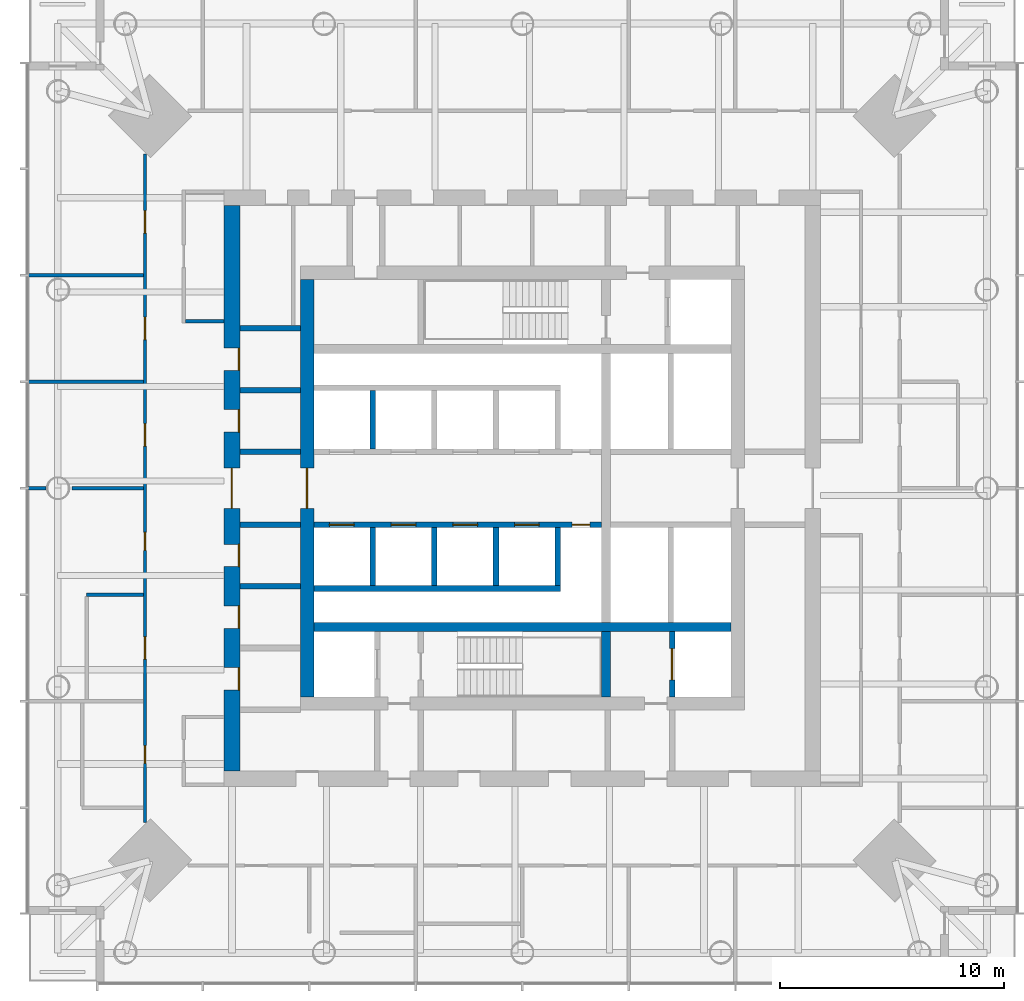
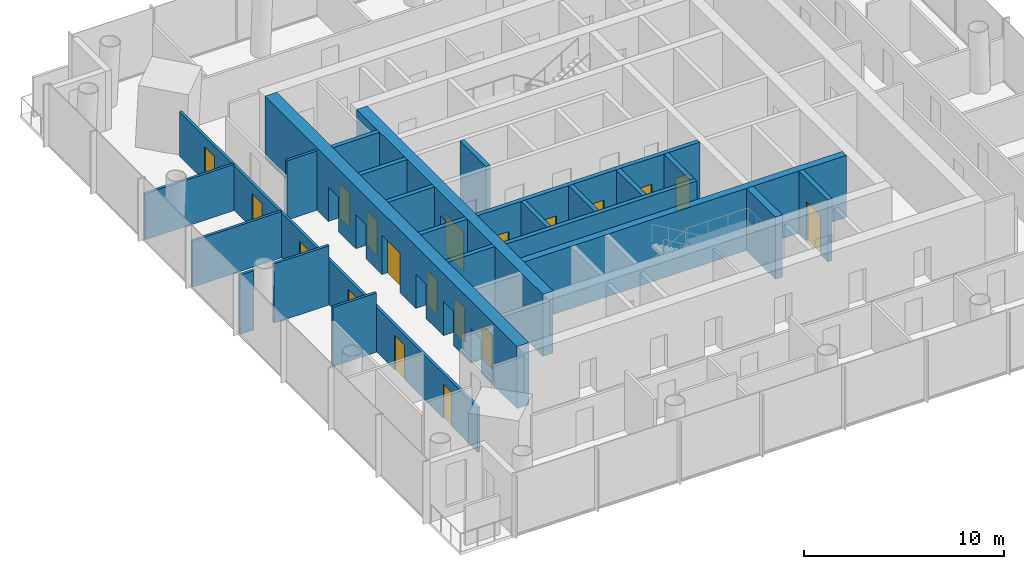
# One storey, part 9 of 18: 24 walls, 19 doors, 19 openings.
"""IFC4 building model written with IfcOpenShell, lengths in metres."""

from ifc_helpers import new_model, si_unit, direction, frame, frame_2d, origin, place, context, subcontext, project, spatial, rectangle, extrude, material, layer, layer_set, type_object, element, fill, save


model = new_model("IFC4")

# Units and contexts
model_context = context("Model", 3, precision=1e-05, world=origin(), true_north=direction((0.0, 1.0)))
body_context = subcontext(model_context, "Body", "Model", "MODEL_VIEW")
ifc_project = project(units=[si_unit("LENGTHUNIT", "METRE"), si_unit("AREAUNIT", "SQUARE_METRE"), si_unit("VOLUMEUNIT", "CUBIC_METRE"), si_unit("PLANEANGLEUNIT", "RADIAN"), si_unit("MASSUNIT", "GRAM", prefix="KILO")], contexts=[model_context])

# Site, building, storey
site_placement = place(None, origin())
site = spatial("IfcSite", under=ifc_project, at=site_placement, CompositionType="ELEMENT")
building_placement = place(site_placement, origin())
building = spatial("IfcBuilding", under=site, at=building_placement, Name="Ostroluk Exchange", CompositionType="ELEMENT")
storey_placement = place(building_placement, frame((0.0, 0.0, 123.60009765625)))
storey = spatial("IfcBuildingStorey", under=building, at=storey_placement, Name="L31", CompositionType="ELEMENT", Elevation=123.60009765625)

# Walls
ifc_material_1 = material(Name="Concrete C50/60", Category="concrete")
ifc_layer_1 = layer(ifc_material_1, 0.39990234375)
ifc_layer_set_1 = layer_set([ifc_layer_1], Name="Core cross wall 400 C50/60")
wall_type_1 = type_object("IfcWallType", Name="Core cross wall 400 C50/60", PredefinedType="SHEAR", material=ifc_layer_set_1)
wall_1_placement = place(storey_placement, frame((35.699951171875, 39.800048828125, 0.0), z_axis=(0.0, 0.0, 1.0), x_axis=(1.0, 0.0, 0.0)))
element("IfcWall", 1, at=wall_1_placement, inside=storey, type_object=wall_type_1, Name="T1 core wall XS", PredefinedType="SHEAR", context=body_context, shape_type="SweptSolid", body=[
    extrude(rectangle(XDim=18.60009765625, YDim=0.39990234375, at=frame_2d((9.300048828125, 0.0))), origin(), (0.0, 0.0, 1.0), 3.7998046875),
])
wall_2_placement = place(storey_placement, frame((48.72998046875, 36.699951171875, 0.0), z_axis=(0.0, 0.0, 1.0), x_axis=(0.0, 1.0, 0.0)))
element("IfcWall", 2, at=wall_2_placement, inside=storey, type_object=wall_type_1, Name="T1 core wall YE1", PredefinedType="SHEAR", context=body_context, shape_type="SweptSolid", body=[
    extrude(rectangle(XDim=2.900146484375, YDim=0.39990234375, at=frame_2d((1.4501953125, 0.0))), origin(), (0.0, 0.0, 1.0), 3.7998046875),
])

# Wall, opening, door
ifc_material_2 = material(Name="Concrete C40/50", Category="concrete")
ifc_layer_2 = layer(ifc_material_2, 0.25)
ifc_layer_set_2 = layer_set([ifc_layer_2], Name="Core shaft wall 250")
wall_type_2 = type_object("IfcWallType", Name="Core shaft wall 250", PredefinedType="SHEAR", material=ifc_layer_set_2)
wall_3_placement = place(storey_placement, frame((51.675048828125, 36.699951171875, 0.0), z_axis=(0.0, 0.0, 1.0), x_axis=(0.0, 1.0, 0.0)))
wall_3 = element("IfcWall", 3, at=wall_3_placement, inside=storey, type_object=wall_type_2, Name="Service lift shaft wall", PredefinedType="SHEAR", context=body_context, shape_type="SweptSolid", body=[
    extrude(rectangle(XDim=2.900146484375, YDim=0.25, at=frame_2d((1.4501953125, 0.0))), origin(), (0.0, 0.0, 1.0), 3.7998046875),
])
opening_1_placement = place(wall_3_placement, frame((0.75, 0.0, 0.0)))
opening_1 = element("IfcOpeningElement", 4, at=opening_1_placement, cuts=wall_3, Name="Opening LD3", PredefinedType="OPENING", context=body_context, shape_type="SweptSolid", body=[
    extrude(rectangle(XDim=1.39990234375, YDim=2.39990234375, at=frame_2d((0.699951171875, 1.199951171875))), frame((0.0, 0.135009765625, 0.0), z_axis=(0.0, -1.0, 0.0), x_axis=(1.0, 0.0, 0.0)), (0.0, 0.0, 1.0), 0.27001953125),
])
ifc_material_3 = material(Name="Stainless steel", Category="steel")
door_type_1 = type_object("IfcDoorType", Name="Goods lift landing door E 60 1400 x 2400", OperationType="DOUBLE_DOOR_SLIDING", PredefinedType="DOOR", material=ifc_material_3)
door_1_placement = place(opening_1_placement, origin())
door_1 = element("IfcDoor", 5, at=door_1_placement, inside=storey, type_object=door_type_1, Name="Lift SL1 landing door", OperationType="DOUBLE_DOOR_SLIDING", OverallHeight=2.39990234375, OverallWidth=1.39990234375, PredefinedType="DOOR", context=body_context, shape_type="SweptSolid", body=[
    extrude(rectangle(XDim=1.39990234375, YDim=2.39990234375, at=frame_2d((0.699951171875, 1.199951171875))), frame((0.0, 0.02490234375, 0.0), z_axis=(0.0, -1.0, 0.0), x_axis=(1.0, 0.0, 0.0)), (0.0, 0.0, 1.0), 0.050048828125),
])
fill(opening_1, door_1)

# Walls
for number, where, z_axis, x_axis, name in (
    (6, (38.324951171875, 47.75, 0.0), (0.0, 0.0, 1.0), (0.0, 1.0, 0.0), "Lift shaft wall"),
    (7, (38.324951171875, 44.25, 0.0), (0.0, 0.0, 1.0), (0.0, -1.0, 0.0), "Lift shaft wall"),
    (8, (41.074951171875, 44.25, 0.0), (0.0, 0.0, 1.0), (0.0, -1.0, 0.0), "Lift shaft wall"),
    (9, (43.824951171875, 44.25, 0.0), (0.0, 0.0, 1.0), (0.0, -1.0, 0.0), "Lift shaft wall"),
    (10, (46.574951171875, 44.25, 0.0), (0.0, 0.0, 1.0), (0.0, -1.0, 0.0), "Lift shaft wall"),
):
    element("IfcWall", number, at=place(storey_placement, frame(where, z_axis=z_axis, x_axis=x_axis)), inside=storey, type_object=wall_type_2, Name=name, PredefinedType="SHEAR", context=body_context, shape_type="SweptSolid", body=[
        extrude(rectangle(XDim=2.60009765625, YDim=0.25, at=frame_2d((1.300048828125, 0.0))), origin(), (0.0, 0.0, 1.0), 3.7998046875),
    ])
wall_4_placement = place(storey_placement, frame((35.699951171875, 41.52490234375, 0.0), z_axis=(0.0, 0.0, 1.0), x_axis=(1.0, 0.0, 0.0)))
element("IfcWall", 11, at=wall_4_placement, inside=storey, type_object=wall_type_2, Name="Lift shaft wall", PredefinedType="SHEAR", context=body_context, shape_type="SweptSolid", body=[
    extrude(rectangle(XDim=11.0, YDim=0.25, at=frame_2d((5.5, 0.0))), origin(), (0.0, 0.0, 1.0), 3.7998046875),
])

# Wall, openings, doors
wall_5_placement = place(storey_placement, frame((35.699951171875, 44.375, 0.0), z_axis=(0.0, 0.0, 1.0), x_axis=(1.0, 0.0, 0.0)))
wall_5 = element("IfcWall", 12, at=wall_5_placement, inside=storey, type_object=wall_type_2, Name="Lift shaft front wall", PredefinedType="SHEAR", context=body_context, shape_type="SweptSolid", body=[
    extrude(rectangle(XDim=12.830078125, YDim=0.25, at=frame_2d((6.4150390625, 0.0))), origin(), (0.0, 0.0, 1.0), 3.7998046875),
])
opening_2_placement = place(wall_5_placement, frame((0.699951171875, 0.0, 0.0)))
opening_2 = element("IfcOpeningElement", 13, at=opening_2_placement, cuts=wall_5, Name="Opening LD", PredefinedType="OPENING", context=body_context, shape_type="SweptSolid", body=[
    extrude(rectangle(XDim=1.10009765625, YDim=2.199951171875, at=frame_2d((0.550048828125, 1.10009765625))), frame((0.0, 0.135009765625, 0.0), z_axis=(0.0, -1.0, 0.0), x_axis=(1.0, 0.0, 0.0)), (0.0, 0.0, 1.0), 0.27001953125),
])
opening_3_placement = place(wall_5_placement, frame((3.449951171875, 0.0, 0.0)))
opening_3 = element("IfcOpeningElement", 14, at=opening_3_placement, cuts=wall_5, Name="Opening LD", PredefinedType="OPENING", context=body_context, shape_type="SweptSolid", body=[
    extrude(rectangle(XDim=1.10009765625, YDim=2.199951171875, at=frame_2d((0.550048828125, 1.10009765625))), frame((0.0, 0.135009765625, 0.0), z_axis=(0.0, -1.0, 0.0), x_axis=(1.0, 0.0, 0.0)), (0.0, 0.0, 1.0), 0.27001953125),
])
opening_4_placement = place(wall_5_placement, frame((6.199951171875, 0.0, 0.0)))
opening_4 = element("IfcOpeningElement", 15, at=opening_4_placement, cuts=wall_5, Name="Opening LD", PredefinedType="OPENING", context=body_context, shape_type="SweptSolid", body=[
    extrude(rectangle(XDim=1.10009765625, YDim=2.199951171875, at=frame_2d((0.550048828125, 1.10009765625))), frame((0.0, 0.135009765625, 0.0), z_axis=(0.0, -1.0, 0.0), x_axis=(1.0, 0.0, 0.0)), (0.0, 0.0, 1.0), 0.27001953125),
])
opening_5_placement = place(wall_5_placement, frame((8.949951171875, 0.0, 0.0)))
opening_5 = element("IfcOpeningElement", 16, at=opening_5_placement, cuts=wall_5, Name="Opening LD", PredefinedType="OPENING", context=body_context, shape_type="SweptSolid", body=[
    extrude(rectangle(XDim=1.10009765625, YDim=2.199951171875, at=frame_2d((0.550048828125, 1.10009765625))), frame((0.0, 0.135009765625, 0.0), z_axis=(0.0, -1.0, 0.0), x_axis=(1.0, 0.0, 0.0)), (0.0, 0.0, 1.0), 0.27001953125),
])
opening_6_placement = place(wall_5_placement, frame((11.514892578125, 0.0, 0.0)))
opening_6 = element("IfcOpeningElement", 17, at=opening_6_placement, cuts=wall_5, Name="Opening RD60", PredefinedType="OPENING", context=body_context, shape_type="SweptSolid", body=[
    extrude(rectangle(XDim=0.800048828125, YDim=2.0, at=frame_2d((0.39990234375, 1.0))), frame((0.0, 0.135009765625, 0.0), z_axis=(0.0, -1.0, 0.0), x_axis=(1.0, 0.0, 0.0)), (0.0, 0.0, 1.0), 0.27001953125),
])
ifc_material_4 = material(Name="Stainless steel", Category="steel")
door_type_2 = type_object("IfcDoorType", Name="Lift landing door E 60 1100 x 2200", OperationType="DOUBLE_DOOR_SLIDING", PredefinedType="DOOR", material=ifc_material_4)
door_2_placement = place(opening_2_placement, origin())
door_2 = element("IfcDoor", 18, at=door_2_placement, inside=storey, type_object=door_type_2, Name="Lift PL-M5 landing door", OperationType="DOUBLE_DOOR_SLIDING", OverallHeight=2.199951171875, OverallWidth=1.10009765625, PredefinedType="DOOR", context=body_context, shape_type="SweptSolid", body=[
    extrude(rectangle(XDim=1.10009765625, YDim=2.199951171875, at=frame_2d((0.550048828125, 1.10009765625))), frame((0.0, 0.02490234375, 0.0), z_axis=(0.0, -1.0, 0.0), x_axis=(1.0, 0.0, 0.0)), (0.0, 0.0, 1.0), 0.050048828125),
])
fill(opening_2, door_2)
door_3_placement = place(opening_3_placement, origin())
door_3 = element("IfcDoor", 19, at=door_3_placement, inside=storey, type_object=door_type_2, Name="Lift PL-M6 landing door", OperationType="DOUBLE_DOOR_SLIDING", OverallHeight=2.199951171875, OverallWidth=1.10009765625, PredefinedType="DOOR", context=body_context, shape_type="SweptSolid", body=[
    extrude(rectangle(XDim=1.10009765625, YDim=2.199951171875, at=frame_2d((0.550048828125, 1.10009765625))), frame((0.0, 0.02490234375, 0.0), z_axis=(0.0, -1.0, 0.0), x_axis=(1.0, 0.0, 0.0)), (0.0, 0.0, 1.0), 0.050048828125),
])
fill(opening_3, door_3)
door_4_placement = place(opening_4_placement, origin())
door_4 = element("IfcDoor", 20, at=door_4_placement, inside=storey, type_object=door_type_2, Name="Lift PL-M7 landing door", OperationType="DOUBLE_DOOR_SLIDING", OverallHeight=2.199951171875, OverallWidth=1.10009765625, PredefinedType="DOOR", context=body_context, shape_type="SweptSolid", body=[
    extrude(rectangle(XDim=1.10009765625, YDim=2.199951171875, at=frame_2d((0.550048828125, 1.10009765625))), frame((0.0, 0.02490234375, 0.0), z_axis=(0.0, -1.0, 0.0), x_axis=(1.0, 0.0, 0.0)), (0.0, 0.0, 1.0), 0.050048828125),
])
fill(opening_4, door_4)
door_5_placement = place(opening_5_placement, origin())
door_5 = element("IfcDoor", 21, at=door_5_placement, inside=storey, type_object=door_type_2, Name="Lift PL-M8 landing door", OperationType="DOUBLE_DOOR_SLIDING", OverallHeight=2.199951171875, OverallWidth=1.10009765625, PredefinedType="DOOR", context=body_context, shape_type="SweptSolid", body=[
    extrude(rectangle(XDim=1.10009765625, YDim=2.199951171875, at=frame_2d((0.550048828125, 1.10009765625))), frame((0.0, 0.02490234375, 0.0), z_axis=(0.0, -1.0, 0.0), x_axis=(1.0, 0.0, 0.0)), (0.0, 0.0, 1.0), 0.050048828125),
])
fill(opening_5, door_5)
ifc_material_5 = material(Name="Steel", Category="steel")
door_type_3 = type_object("IfcDoorType", Name="Riser access door EI 60 800 x 2000", OperationType="SINGLE_SWING_LEFT", PredefinedType="DOOR", material=ifc_material_5)
door_6_placement = place(opening_6_placement, origin())
door_6 = element("IfcDoor", 22, at=door_6_placement, inside=storey, type_object=door_type_3, Name="Riser access door", OperationType="SINGLE_SWING_RIGHT", OverallHeight=2.0, OverallWidth=0.800048828125, PredefinedType="DOOR", context=body_context, shape_type="SweptSolid", body=[
    extrude(rectangle(XDim=0.800048828125, YDim=2.0, at=frame_2d((0.39990234375, 1.0))), frame((0.0, 0.02490234375, 0.0), z_axis=(0.0, -1.0, 0.0), x_axis=(1.0, 0.0, 0.0)), (0.0, 0.0, 1.0), 0.050048828125),
])
fill(opening_6, door_6)

# Walls
for number, where, z_axis, x_axis, name in (
    (23, (32.39990234375, 41.625, 0.0), (0.0, 0.0, 1.0), (1.0, 0.0, 0.0), "Lift shaft wall"),
    (24, (32.39990234375, 44.375, 0.0), (0.0, 0.0, 1.0), (1.0, 0.0, 0.0), "Lift shaft wall"),
    (25, (32.39990234375, 47.625, 0.0), (0.0, 0.0, 1.0), (1.0, 0.0, 0.0), "Lift shaft wall"),
    (26, (32.39990234375, 50.375, 0.0), (0.0, 0.0, 1.0), (1.0, 0.0, 0.0), "Lift shaft wall"),
    (27, (32.39990234375, 53.125, 0.0), (0.0, 0.0, 1.0), (1.0, 0.0, 0.0), "Lift shaft wall"),
):
    element("IfcWall", number, at=place(storey_placement, frame(where, z_axis=z_axis, x_axis=x_axis)), inside=storey, type_object=wall_type_2, Name=name, PredefinedType="SHEAR", context=body_context, shape_type="SweptSolid", body=[
        extrude(rectangle(XDim=2.7001953125, YDim=0.25, at=frame_2d((1.35009765625, 0.0))), origin(), (0.0, 0.0, 1.0), 3.7998046875),
    ])

# Wall, opening, door
ifc_material_6 = material(Name="Concrete C50/60", Category="concrete")
ifc_layer_3 = layer(ifc_material_6, 0.60009765625)
ifc_layer_set_3 = layer_set([ifc_layer_3], Name="Core wall 600 C50/60")
wall_type_3 = type_object("IfcWallType", Name="Core wall 600 C50/60", PredefinedType="SHEAR", material=ifc_layer_set_3)
wall_6_placement = place(storey_placement, frame((35.39990234375, 36.699951171875, 0.0), z_axis=(0.0, 0.0, 1.0), x_axis=(0.0, 1.0, 0.0)))
wall_6 = element("IfcWall", 28, at=wall_6_placement, inside=storey, type_object=wall_type_3, Name="T1 core wall W", PredefinedType="SHEAR", context=body_context, shape_type="SweptSolid", body=[
    extrude(rectangle(XDim=18.60009765625, YDim=0.60009765625, at=frame_2d((9.300048828125, 0.0))), origin(), (0.0, 0.0, 1.0), 3.7998046875),
])
opening_7_placement = place(wall_6_placement, frame((8.39990234375, 0.0, 0.0)))
opening_7 = element("IfcOpeningElement", 29, at=opening_7_placement, cuts=wall_6, Name="Opening FD30D", PredefinedType="OPENING", context=body_context, shape_type="SweptSolid", body=[
    extrude(rectangle(XDim=1.800048828125, YDim=2.39990234375, at=frame_2d((0.89990234375, 1.199951171875))), frame((0.0, 0.31005859375, 0.0), z_axis=(0.0, -1.0, 0.0), x_axis=(1.0, 0.0, 0.0)), (0.0, 0.0, 1.0), 0.6201171875),
])
ifc_material_7 = material(Name="Timber", Category="wood")
door_type_4 = type_object("IfcDoorType", Name="Lobby double door EI 30 1800 x 2400", OperationType="DOUBLE_DOOR_SINGLE_SWING", PredefinedType="DOOR", material=ifc_material_7)
door_7_placement = place(opening_7_placement, origin())
door_7 = element("IfcDoor", 30, at=door_7_placement, inside=storey, type_object=door_type_4, Name="Lift lobby doors", OperationType="DOUBLE_DOOR_SINGLE_SWING", OverallHeight=2.39990234375, OverallWidth=1.800048828125, PredefinedType="DOOR", context=body_context, shape_type="SweptSolid", body=[
    extrude(rectangle(XDim=1.800048828125, YDim=2.39990234375, at=frame_2d((0.89990234375, 1.199951171875))), frame((0.0, 0.02490234375, 0.0), z_axis=(0.0, -1.0, 0.0), x_axis=(1.0, 0.0, 0.0)), (0.0, 0.0, 1.0), 0.050048828125),
])
fill(opening_7, door_7)

# Wall, openings, doors
ifc_material_8 = material(Name="Concrete C50/60", Category="concrete")
ifc_layer_4 = layer(ifc_material_8, 0.699951171875)
ifc_layer_set_4 = layer_set([ifc_layer_4], Name="Core wall 700 C50/60")
wall_type_4 = type_object("IfcWallType", Name="Core wall 700 C50/60", PredefinedType="SHEAR", material=ifc_layer_set_4)
wall_7_placement = place(storey_placement, frame((32.050048828125, 33.39990234375, 0.0), z_axis=(0.0, 0.0, 1.0), x_axis=(0.0, 1.0, 0.0)))
wall_7 = element("IfcWall", 31, at=wall_7_placement, inside=storey, type_object=wall_type_4, Name="T1 core wall RW", PredefinedType="SHEAR", context=body_context, shape_type="SweptSolid", body=[
    extrude(rectangle(XDim=25.2001953125, YDim=0.699951171875, at=frame_2d((12.60009765625, 0.0))), origin(), (0.0, 0.0, 1.0), 3.7998046875),
])
opening_8_placement = place(wall_7_placement, frame((11.699951171875, 0.0, 0.0)))
opening_8 = element("IfcOpeningElement", 32, at=opening_8_placement, cuts=wall_7, Name="Opening FD30D", PredefinedType="OPENING", context=body_context, shape_type="SweptSolid", body=[
    extrude(rectangle(XDim=1.800048828125, YDim=2.39990234375, at=frame_2d((0.89990234375, 1.199951171875))), frame((0.0, 0.35986328125, 0.0), z_axis=(0.0, -1.0, 0.0), x_axis=(1.0, 0.0, 0.0)), (0.0, 0.0, 1.0), 0.719970703125),
])
opening_9_placement = place(wall_7_placement, frame((3.60009765625, 0.0, 0.0)))
opening_9 = element("IfcOpeningElement", 33, at=opening_9_placement, cuts=wall_7, Name="Opening FD60", PredefinedType="OPENING", context=body_context, shape_type="SweptSolid", body=[
    extrude(rectangle(XDim=1.0, YDim=2.10009765625, at=frame_2d((0.5, 1.050048828125))), frame((0.0, 0.35986328125, 0.0), z_axis=(0.0, -1.0, 0.0), x_axis=(1.0, 0.0, 0.0)), (0.0, 0.0, 1.0), 0.719970703125),
])
opening_10_placement = place(wall_7_placement, frame((6.35009765625, 0.0, 0.0)))
opening_10 = element("IfcOpeningElement", 34, at=opening_10_placement, cuts=wall_7, Name="Opening FD60", PredefinedType="OPENING", context=body_context, shape_type="SweptSolid", body=[
    extrude(rectangle(XDim=1.0, YDim=2.10009765625, at=frame_2d((0.5, 1.050048828125))), frame((0.0, 0.35986328125, 0.0), z_axis=(0.0, -1.0, 0.0), x_axis=(1.0, 0.0, 0.0)), (0.0, 0.0, 1.0), 0.719970703125),
])
opening_11_placement = place(wall_7_placement, frame((9.10009765625, 0.0, 0.0)))
opening_11 = element("IfcOpeningElement", 35, at=opening_11_placement, cuts=wall_7, Name="Opening FD60", PredefinedType="OPENING", context=body_context, shape_type="SweptSolid", body=[
    extrude(rectangle(XDim=1.0, YDim=2.10009765625, at=frame_2d((0.5, 1.050048828125))), frame((0.0, 0.35986328125, 0.0), z_axis=(0.0, -1.0, 0.0), x_axis=(1.0, 0.0, 0.0)), (0.0, 0.0, 1.0), 0.719970703125),
])
opening_12_placement = place(wall_7_placement, frame((15.10009765625, 0.0, 0.0)))
opening_12 = element("IfcOpeningElement", 36, at=opening_12_placement, cuts=wall_7, Name="Opening FD60", PredefinedType="OPENING", context=body_context, shape_type="SweptSolid", body=[
    extrude(rectangle(XDim=1.0, YDim=2.10009765625, at=frame_2d((0.5, 1.050048828125))), frame((0.0, 0.35986328125, 0.0), z_axis=(0.0, -1.0, 0.0), x_axis=(1.0, 0.0, 0.0)), (0.0, 0.0, 1.0), 0.719970703125),
])
opening_13_placement = place(wall_7_placement, frame((17.85009765625, 0.0, 0.0)))
opening_13 = element("IfcOpeningElement", 37, at=opening_13_placement, cuts=wall_7, Name="Opening FD60", PredefinedType="OPENING", context=body_context, shape_type="SweptSolid", body=[
    extrude(rectangle(XDim=1.0, YDim=2.10009765625, at=frame_2d((0.5, 1.050048828125))), frame((0.0, 0.35986328125, 0.0), z_axis=(0.0, -1.0, 0.0), x_axis=(1.0, 0.0, 0.0)), (0.0, 0.0, 1.0), 0.719970703125),
])
ifc_material_9 = material(Name="Steel", Category="steel")
door_type_5 = type_object("IfcDoorType", Name="Fire door EI 60 1000 x 2100", OperationType="SINGLE_SWING_LEFT", PredefinedType="DOOR", material=ifc_material_9)
door_8_placement = place(opening_9_placement, origin())
door_8 = element("IfcDoor", 38, at=door_8_placement, inside=storey, type_object=door_type_5, Name="Store door", OperationType="SINGLE_SWING_LEFT", OverallHeight=2.10009765625, OverallWidth=1.0, PredefinedType="DOOR", context=body_context, shape_type="SweptSolid", body=[
    extrude(rectangle(XDim=1.0, YDim=2.10009765625, at=frame_2d((0.5, 1.050048828125))), frame((0.0, -0.2900390625, 0.0), z_axis=(0.0, -1.0, 0.0), x_axis=(1.0, 0.0, 0.0)), (0.0, 0.0, 1.0), 0.050048828125),
])
fill(opening_9, door_8)
door_9_placement = place(opening_10_placement, origin())
door_9 = element("IfcDoor", 39, at=door_9_placement, inside=storey, type_object=door_type_5, Name="Cleaner's store door", OperationType="SINGLE_SWING_LEFT", OverallHeight=2.10009765625, OverallWidth=1.0, PredefinedType="DOOR", context=body_context, shape_type="SweptSolid", body=[
    extrude(rectangle(XDim=1.0, YDim=2.10009765625, at=frame_2d((0.5, 1.050048828125))), frame((0.0, -0.2900390625, 0.0), z_axis=(0.0, -1.0, 0.0), x_axis=(1.0, 0.0, 0.0)), (0.0, 0.0, 1.0), 0.050048828125),
])
fill(opening_10, door_9)
door_10_placement = place(opening_11_placement, origin())
door_10 = element("IfcDoor", 40, at=door_10_placement, inside=storey, type_object=door_type_5, Name="Store door", OperationType="SINGLE_SWING_LEFT", OverallHeight=2.10009765625, OverallWidth=1.0, PredefinedType="DOOR", context=body_context, shape_type="SweptSolid", body=[
    extrude(rectangle(XDim=1.0, YDim=2.10009765625, at=frame_2d((0.5, 1.050048828125))), frame((0.0, -0.2900390625, 0.0), z_axis=(0.0, -1.0, 0.0), x_axis=(1.0, 0.0, 0.0)), (0.0, 0.0, 1.0), 0.050048828125),
])
fill(opening_11, door_10)
door_11_placement = place(opening_12_placement, origin())
door_11 = element("IfcDoor", 41, at=door_11_placement, inside=storey, type_object=door_type_5, Name="Cleaner's store door", OperationType="SINGLE_SWING_RIGHT", OverallHeight=2.10009765625, OverallWidth=1.0, PredefinedType="DOOR", context=body_context, shape_type="SweptSolid", body=[
    extrude(rectangle(XDim=1.0, YDim=2.10009765625, at=frame_2d((0.5, 1.050048828125))), frame((0.0, -0.2900390625, 0.0), z_axis=(0.0, -1.0, 0.0), x_axis=(1.0, 0.0, 0.0)), (0.0, 0.0, 1.0), 0.050048828125),
])
fill(opening_12, door_11)
door_12_placement = place(opening_13_placement, origin())
door_12 = element("IfcDoor", 42, at=door_12_placement, inside=storey, type_object=door_type_5, Name="Store door", OperationType="SINGLE_SWING_RIGHT", OverallHeight=2.10009765625, OverallWidth=1.0, PredefinedType="DOOR", context=body_context, shape_type="SweptSolid", body=[
    extrude(rectangle(XDim=1.0, YDim=2.10009765625, at=frame_2d((0.5, 1.050048828125))), frame((0.0, -0.2900390625, 0.0), z_axis=(0.0, -1.0, 0.0), x_axis=(1.0, 0.0, 0.0)), (0.0, 0.0, 1.0), 0.050048828125),
])
fill(opening_13, door_12)
door_13_placement = place(opening_8_placement, origin())
door_13 = element("IfcDoor", 43, at=door_13_placement, inside=storey, type_object=door_type_4, Name="Lift lobby doors", OperationType="DOUBLE_DOOR_SINGLE_SWING", OverallHeight=2.39990234375, OverallWidth=1.800048828125, PredefinedType="DOOR", context=body_context, shape_type="SweptSolid", body=[
    extrude(rectangle(XDim=1.800048828125, YDim=2.39990234375, at=frame_2d((0.89990234375, 1.199951171875))), frame((0.0, 0.02490234375, 0.0), z_axis=(0.0, -1.0, 0.0), x_axis=(1.0, 0.0, 0.0)), (0.0, 0.0, 1.0), 0.050048828125),
])
fill(opening_8, door_13)

# Wall
ifc_material_10 = material(Name="Gypsum plasterboard partition", Category="gypsum")
ifc_layer_5 = layer(ifc_material_10, 0.14990234375)
ifc_layer_set_5 = layer_set([ifc_layer_5], Name="Plasterboard partition 150")
wall_type_5 = type_object("IfcWallType", Name="Plasterboard partition 150", PredefinedType="PARTITIONING", material=ifc_layer_set_5)
wall_8_placement = place(storey_placement, frame((31.699951171875, 53.449951171875, 0.0), z_axis=(0.0, 0.0, 1.0), x_axis=(-1.0, 0.0, 0.0)))
element("IfcWall", 44, at=wall_8_placement, inside=storey, type_object=wall_type_5, Name="Partition", PredefinedType="PARTITIONING", context=body_context, shape_type="SweptSolid", body=[
    extrude(rectangle(XDim=1.724853515625, YDim=0.14990234375, at=frame_2d((0.8623046875, 0.0))), origin(), (0.0, 0.0, 1.0), 3.619873046875),
])

# Wall, openings, doors
wall_9_placement = place(storey_placement, frame((28.175048828125, 60.91162109375, 0.0), z_axis=(0.0, 0.0, 1.0), x_axis=(0.0, -1.0, 0.0)))
wall_9 = element("IfcWall", 45, at=wall_9_placement, inside=storey, type_object=wall_type_5, Name="Partition", PredefinedType="PARTITIONING", context=body_context, shape_type="SweptSolid", body=[
    extrude(rectangle(XDim=29.8232421875, YDim=0.14990234375, at=frame_2d((14.91162109375, 0.0))), origin(), (0.0, 0.0, 1.0), 2.719970703125),
])
opening_14_placement = place(wall_9_placement, frame((2.53662109375, 0.0, 0.0)))
opening_14 = element("IfcOpeningElement", 46, at=opening_14_placement, cuts=wall_9, Name="Opening D-03", PredefinedType="OPENING", context=body_context, shape_type="SweptSolid", body=[
    extrude(rectangle(XDim=1.0, YDim=2.10009765625, at=frame_2d((0.5, 1.050048828125))), frame((0.0, 0.0849609375, 0.0), z_axis=(0.0, -1.0, 0.0), x_axis=(1.0, 0.0, 0.0)), (0.0, 0.0, 1.0), 0.169921875),
])
opening_15_placement = place(wall_9_placement, frame((7.28662109375, 0.0, 0.0)))
opening_15 = element("IfcOpeningElement", 47, at=opening_15_placement, cuts=wall_9, Name="Opening D-03", PredefinedType="OPENING", context=body_context, shape_type="SweptSolid", body=[
    extrude(rectangle(XDim=1.0, YDim=2.10009765625, at=frame_2d((0.5, 1.050048828125))), frame((0.0, 0.0849609375, 0.0), z_axis=(0.0, -1.0, 0.0), x_axis=(1.0, 0.0, 0.0)), (0.0, 0.0, 1.0), 0.169921875),
])
opening_16_placement = place(wall_9_placement, frame((12.03662109375, 0.0, 0.0)))
opening_16 = element("IfcOpeningElement", 48, at=opening_16_placement, cuts=wall_9, Name="Opening D-03", PredefinedType="OPENING", context=body_context, shape_type="SweptSolid", body=[
    extrude(rectangle(XDim=1.0, YDim=2.10009765625, at=frame_2d((0.5, 1.050048828125))), frame((0.0, 0.0849609375, 0.0), z_axis=(0.0, -1.0, 0.0), x_axis=(1.0, 0.0, 0.0)), (0.0, 0.0, 1.0), 0.169921875),
])
opening_17_placement = place(wall_9_placement, frame((16.886474609375, 0.0, 0.0)))
opening_17 = element("IfcOpeningElement", 49, at=opening_17_placement, cuts=wall_9, Name="Opening D-06", PredefinedType="OPENING", context=body_context, shape_type="SweptSolid", body=[
    extrude(rectangle(XDim=0.800048828125, YDim=2.10009765625, at=frame_2d((0.39990234375, 1.050048828125))), frame((0.0, 0.0849609375, 0.0), z_axis=(0.0, -1.0, 0.0), x_axis=(1.0, 0.0, 0.0)), (0.0, 0.0, 1.0), 0.169921875),
])
opening_18_placement = place(wall_9_placement, frame((21.53662109375, 0.0, 0.0)))
opening_18 = element("IfcOpeningElement", 50, at=opening_18_placement, cuts=wall_9, Name="Opening D-03", PredefinedType="OPENING", context=body_context, shape_type="SweptSolid", body=[
    extrude(rectangle(XDim=1.0, YDim=2.10009765625, at=frame_2d((0.5, 1.050048828125))), frame((0.0, 0.0849609375, 0.0), z_axis=(0.0, -1.0, 0.0), x_axis=(1.0, 0.0, 0.0)), (0.0, 0.0, 1.0), 0.169921875),
])
opening_19_placement = place(wall_9_placement, frame((26.386474609375, 0.0, 0.0)))
opening_19 = element("IfcOpeningElement", 51, at=opening_19_placement, cuts=wall_9, Name="Opening D-06", PredefinedType="OPENING", context=body_context, shape_type="SweptSolid", body=[
    extrude(rectangle(XDim=0.800048828125, YDim=2.10009765625, at=frame_2d((0.39990234375, 1.050048828125))), frame((0.0, 0.0849609375, 0.0), z_axis=(0.0, -1.0, 0.0), x_axis=(1.0, 0.0, 0.0)), (0.0, 0.0, 1.0), 0.169921875),
])
ifc_material_11 = material(Name="Timber", Category="wood")
door_type_6 = type_object("IfcDoorType", Name="Internal door 1000 x 2100", OperationType="SINGLE_SWING_LEFT", PredefinedType="DOOR", material=ifc_material_11)
door_14_placement = place(opening_14_placement, origin())
door_14 = element("IfcDoor", 52, at=door_14_placement, inside=storey, type_object=door_type_6, Name="Office suite door", OperationType="SINGLE_SWING_LEFT", OverallHeight=2.10009765625, OverallWidth=1.0, PredefinedType="DOOR", context=body_context, shape_type="SweptSolid", body=[
    extrude(rectangle(XDim=1.0, YDim=2.10009765625, at=frame_2d((0.5, 1.050048828125))), frame((0.0, 0.02490234375, 0.0), z_axis=(0.0, -1.0, 0.0), x_axis=(1.0, 0.0, 0.0)), (0.0, 0.0, 1.0), 0.050048828125),
])
fill(opening_14, door_14)
door_15_placement = place(opening_15_placement, origin())
door_15 = element("IfcDoor", 53, at=door_15_placement, inside=storey, type_object=door_type_6, Name="Meeting room door", OperationType="SINGLE_SWING_LEFT", OverallHeight=2.10009765625, OverallWidth=1.0, PredefinedType="DOOR", context=body_context, shape_type="SweptSolid", body=[
    extrude(rectangle(XDim=1.0, YDim=2.10009765625, at=frame_2d((0.5, 1.050048828125))), frame((0.0, 0.02490234375, 0.0), z_axis=(0.0, -1.0, 0.0), x_axis=(1.0, 0.0, 0.0)), (0.0, 0.0, 1.0), 0.050048828125),
])
fill(opening_15, door_15)
door_16_placement = place(opening_16_placement, origin())
door_16 = element("IfcDoor", 54, at=door_16_placement, inside=storey, type_object=door_type_6, Name="Office door", OperationType="SINGLE_SWING_LEFT", OverallHeight=2.10009765625, OverallWidth=1.0, PredefinedType="DOOR", context=body_context, shape_type="SweptSolid", body=[
    extrude(rectangle(XDim=1.0, YDim=2.10009765625, at=frame_2d((0.5, 1.050048828125))), frame((0.0, 0.02490234375, 0.0), z_axis=(0.0, -1.0, 0.0), x_axis=(1.0, 0.0, 0.0)), (0.0, 0.0, 1.0), 0.050048828125),
])
fill(opening_16, door_16)
door_17_placement = place(opening_18_placement, origin())
door_17 = element("IfcDoor", 55, at=door_17_placement, inside=storey, type_object=door_type_6, Name="Accessible WC door", OperationType="SINGLE_SWING_RIGHT", OverallHeight=2.10009765625, OverallWidth=1.0, PredefinedType="DOOR", context=body_context, shape_type="SweptSolid", body=[
    extrude(rectangle(XDim=1.0, YDim=2.10009765625, at=frame_2d((0.5, 1.050048828125))), frame((0.0, 0.02490234375, 0.0), z_axis=(0.0, -1.0, 0.0), x_axis=(1.0, 0.0, 0.0)), (0.0, 0.0, 1.0), 0.050048828125),
])
fill(opening_18, door_17)
ifc_material_12 = material(Name="Timber", Category="wood")
door_type_7 = type_object("IfcDoorType", Name="Toilet door 800 x 2100", OperationType="SINGLE_SWING_LEFT", PredefinedType="DOOR", material=ifc_material_12)
door_18_placement = place(opening_17_placement, origin())
door_18 = element("IfcDoor", 56, at=door_18_placement, inside=storey, type_object=door_type_7, Name="WC female door", OperationType="SINGLE_SWING_RIGHT", OverallHeight=2.10009765625, OverallWidth=0.800048828125, PredefinedType="DOOR", context=body_context, shape_type="SweptSolid", body=[
    extrude(rectangle(XDim=0.800048828125, YDim=2.10009765625, at=frame_2d((0.39990234375, 1.050048828125))), frame((0.0, 0.02490234375, 0.0), z_axis=(0.0, -1.0, 0.0), x_axis=(1.0, 0.0, 0.0)), (0.0, 0.0, 1.0), 0.050048828125),
])
fill(opening_17, door_18)
door_19_placement = place(opening_19_placement, origin())
door_19 = element("IfcDoor", 57, at=door_19_placement, inside=storey, type_object=door_type_7, Name="WC male door", OperationType="SINGLE_SWING_RIGHT", OverallHeight=2.10009765625, OverallWidth=0.800048828125, PredefinedType="DOOR", context=body_context, shape_type="SweptSolid", body=[
    extrude(rectangle(XDim=0.800048828125, YDim=2.10009765625, at=frame_2d((0.39990234375, 1.050048828125))), frame((0.0, 0.02490234375, 0.0), z_axis=(0.0, -1.0, 0.0), x_axis=(1.0, 0.0, 0.0)), (0.0, 0.0, 1.0), 0.050048828125),
])
fill(opening_19, door_19)

# Walls
for number, where, z_axis, x_axis, name in (
    (58, (28.10009765625, 55.5, 0.0), (0.0, 0.0, 1.0), (-1.0, 0.0, 0.0), "Partition"),
    (59, (28.10009765625, 50.75, 0.0), (0.0, 0.0, 1.0), (-1.0, 0.0, 0.0), "Partition"),
):
    element("IfcWall", number, at=place(storey_placement, frame(where, z_axis=z_axis, x_axis=x_axis)), inside=storey, type_object=wall_type_5, Name=name, PredefinedType="PARTITIONING", context=body_context, shape_type="SweptSolid", body=[
        extrude(rectangle(XDim=5.14013671875, YDim=0.14990234375, at=frame_2d((2.570068359375, 0.0))), origin(), (0.0, 0.0, 1.0), 2.81982421875),
    ])
wall_10_placement = place(storey_placement, frame((28.10009765625, 46.0, 0.0), z_axis=(0.0, 0.0, 1.0), x_axis=(-1.0, 0.0, 0.0)))
element("IfcWall", 60, at=wall_10_placement, inside=storey, type_object=wall_type_5, Name="Partition", PredefinedType="PARTITIONING", context=body_context, shape_type="SweptSolid", body=[
    extrude(rectangle(XDim=3.192138671875, YDim=0.14990234375, at=frame_2d((1.59619140625, 0.0))), origin(), (0.0, 0.0, 1.0), 3.619873046875),
])
wall_11_placement = place(storey_placement, frame((23.7705078125, 46.0, 0.0), z_axis=(0.0, 0.0, 1.0), x_axis=(-1.0, 0.0, 0.0)))
element("IfcWall", 61, at=wall_11_placement, inside=storey, type_object=wall_type_5, Name="Partition", PredefinedType="PARTITIONING", context=body_context, shape_type="SweptSolid", body=[
    extrude(rectangle(XDim=0.810546875, YDim=0.14990234375, at=frame_2d((0.4052734375, 0.0))), origin(), (0.0, 0.0, 1.0), 3.619873046875),
])
wall_12_placement = place(storey_placement, frame((28.10009765625, 41.25, 0.0), z_axis=(0.0, 0.0, 1.0), x_axis=(-1.0, 0.0, 0.0)))
element("IfcWall", 62, at=wall_12_placement, inside=storey, type_object=wall_type_5, Name="Partition", PredefinedType="PARTITIONING", context=body_context, shape_type="SweptSolid", body=[
    extrude(rectangle(XDim=2.525146484375, YDim=0.14990234375, at=frame_2d((1.2626953125, 0.0))), origin(), (0.0, 0.0, 1.0), 3.619873046875),
])

save(model, "model.ifc")
